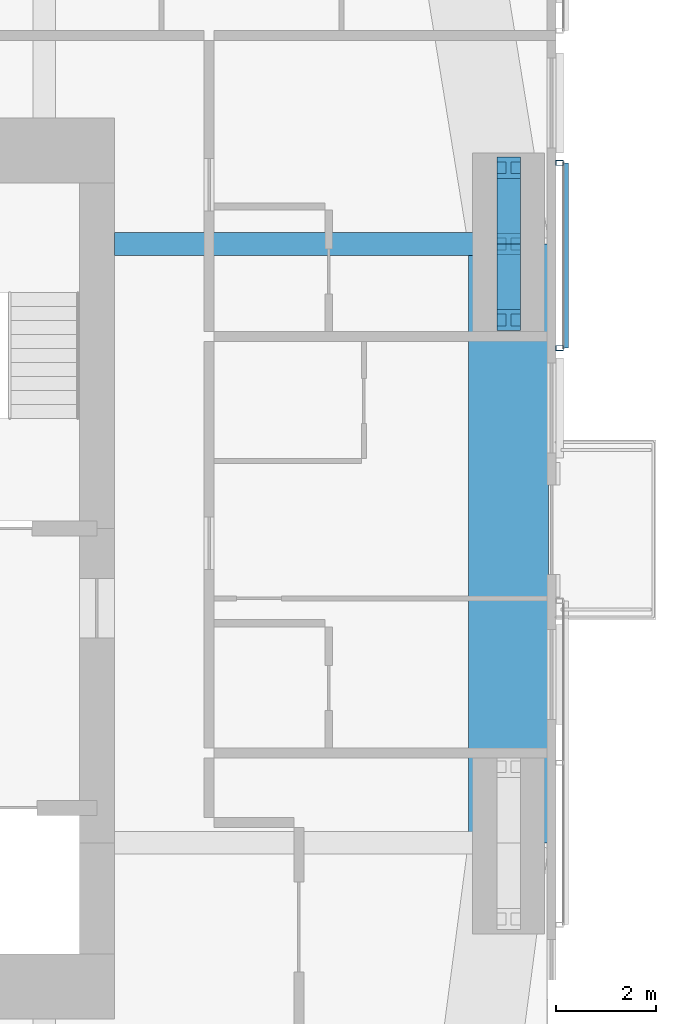
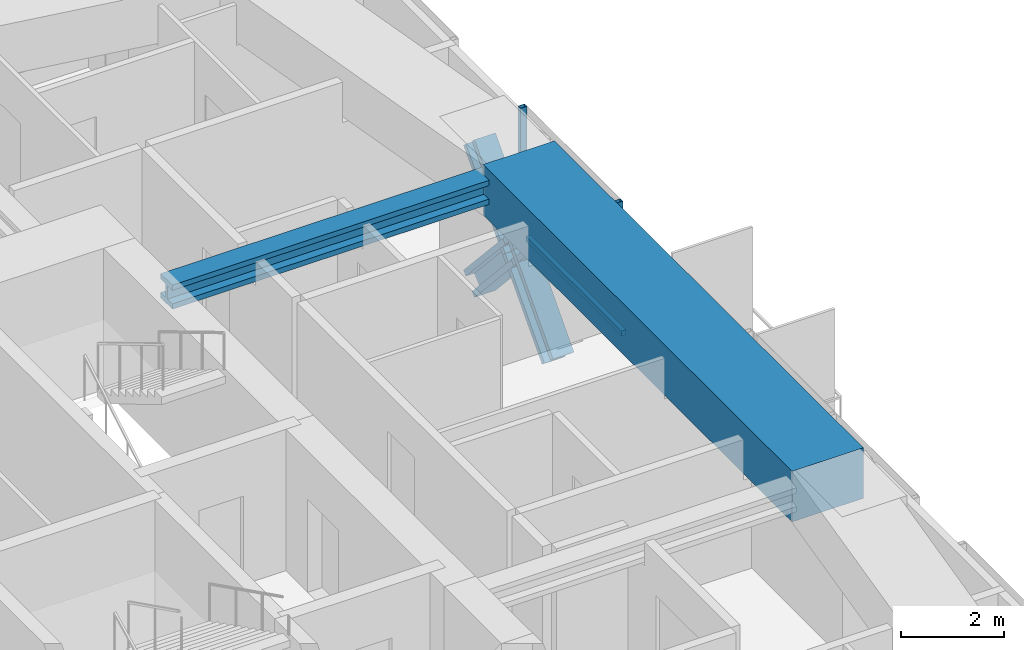
# One storey, part 9 of 23: 7 members, 2 beams, 1 element without a shape of its own.
"""IFC4 building model written with IfcOpenShell, lengths in metres."""

from ifc_helpers import new_model, si_unit, direction, frame, origin, origin_2d, place, context, subcontext, project, spatial, rectangle, hollow_rectangle, i_section, extrude, material, material_profile, profile_set, type_object, element, aggregate, save


model = new_model("IFC4")

# Units and contexts
model_context = context("Model", 3, precision=1e-05, world=origin(), true_north=direction((0.0, 1.0)))
body_context = subcontext(model_context, "Body", "Model", "MODEL_VIEW")
ifc_project = project(units=[si_unit("LENGTHUNIT", "METRE"), si_unit("AREAUNIT", "SQUARE_METRE"), si_unit("VOLUMEUNIT", "CUBIC_METRE"), si_unit("PLANEANGLEUNIT", "RADIAN"), si_unit("MASSUNIT", "GRAM", prefix="KILO")], contexts=[model_context])

# Site, building, storey
site_placement = place(None, origin())
site = spatial("IfcSite", under=ifc_project, at=site_placement, CompositionType="ELEMENT")
building_placement = place(site_placement, origin())
building = spatial("IfcBuilding", under=site, at=building_placement, Name="Jalousie Tower", CompositionType="ELEMENT")
storey_placement = place(building_placement, frame((0.0, 0.0, 181.14990234375)))
storey = spatial("IfcBuildingStorey", under=building, at=storey_placement, Name="L49", CompositionType="ELEMENT", Elevation=181.14990234375)

# Beam
ifc_material_1 = material(Name="Steel ASTM A992 Grade 50", Category="steel")
ifc_material_profile_1 = material_profile(ifc_material_1, i_section(OverallWidth=0.45458984375, OverallDepth=0.569091796875, WebThickness=0.077880859375, FlangeThickness=0.124755859375, at=origin_2d()), Name="W14X730")
ifc_profile_set_1 = profile_set([ifc_material_profile_1], Name="Steel ASTM A992 Grade 50")
beam_type_1 = type_object("IfcBeamType", Name="LEAN COLLECTOR W14X730", PredefinedType="BEAM", material=ifc_profile_set_1)
beam_1_placement = place(storey_placement, frame((52.050048828125, 25.0, 2.82568359375), z_axis=(-1.0, 0.0, 0.0), x_axis=(0.0, -1.0, 0.0)))
element("IfcBeam", 1, at=beam_1_placement, inside=storey, type_object=beam_type_1, Name="Lean collector under L50", PredefinedType="BEAM", context=body_context, shape_type="SweptSolid", body=[
    extrude(i_section(OverallWidth=0.45458984375, OverallDepth=0.569091796875, WebThickness=0.077880859375, FlangeThickness=0.124755859375, at=origin_2d()), origin(), (0.0, 0.0, 1.0), 7.900146484375),
])

# Members
ifc_material_2 = material(Name="Steel ASTM A992 Grade 50", Category="steel")
ifc_material_profile_2 = material_profile(ifc_material_2, i_section(OverallWidth=0.472412109375, OverallDepth=0.5791015625, WebThickness=0.094970703125, FlangeThickness=0.1298828125, at=origin_2d()), Name="W14X808")
ifc_profile_set_2 = profile_set([ifc_material_profile_2], Name="Steel ASTM A992 Grade 50")
member_type_1 = type_object("IfcMemberType", Name="PERIMETER BRACE W14X808", PredefinedType="BRACE", material=ifc_profile_set_2)
for number, where, z_axis, x_axis, name in (
    (2, (52.050048828125, 23.47509765625, -0.599853515625), (0.0, 0.673187629365, 0.739471713908), (-1.0, 0.0, 0.0), "Perimeter brace 07 L49 part 1"),
    (3, (52.050048828125, 25.0, 1.0751953125), (0.0, 0.673241284601, 0.739422864611), (-1.0, 0.0, 0.0), "Perimeter brace 07 L49 part 2"),
    (4, (52.050048828125, 26.52490234375, -0.599853515625), (0.0, -0.673187629365, 0.739471713908), (1.0, 0.0, 0.0), "Perimeter brace 07 L49 part 3"),
    (5, (52.050048828125, 25.0, 1.0751953125), (0.0, -0.673241284601, 0.739422864611), (1.0, 0.0, 0.0), "Perimeter brace 07 L49 part 4"),
):
    element("IfcMember", number, at=place(storey_placement, frame(where, z_axis=z_axis, x_axis=x_axis)), inside=storey, type_object=member_type_1, Name=name, PredefinedType="BRACE", context=body_context, shape_type="SweptSolid", body=[
        extrude(i_section(OverallWidth=0.472412109375, OverallDepth=0.5791015625, WebThickness=0.094970703125, FlangeThickness=0.1298828125, at=origin_2d()), origin(), (0.0, 0.0, 1.0), 2.26513671875),
    ])

# Beam
ifc_material_3 = material(Name="Concrete f'c 40 MPa", Category="concrete")
ifc_material_profile_3 = material_profile(ifc_material_3, rectangle(XDim=1.60009765625, YDim=1.199951171875, at=origin_2d()), Name="RC 1600x1200")
ifc_profile_set_3 = profile_set([ifc_material_profile_3], Name="Concrete f'c 40 MPa")
beam_type_2 = type_object("IfcBeamType", Name="RC BEAM 1600x1200", PredefinedType="BEAM", material=ifc_profile_set_3)
beam_2_placement = place(storey_placement, frame((52.050048828125, 13.0, 2.75), z_axis=(0.0, 1.0, 0.0), x_axis=(-1.0, 0.0, 0.0)))
element("IfcBeam", 6, at=beam_2_placement, inside=storey, type_object=beam_type_2, Name="Edge band beam 06-07 under L50", PredefinedType="BEAM", context=body_context, shape_type="SweptSolid", body=[
    extrude(rectangle(XDim=1.60009765625, YDim=1.199951171875, at=origin_2d()), origin(), (0.0, 0.0, 1.0), 12.0),
])

# Curtain wall, members
ifc_material_4 = material(Name="Perforated aluminium sheet", Category="aluminium")
curtain_wall_type = type_object("IfcCurtainWallType", Name="SOLAR SCREEN SS-1", PredefinedType="USERDEFINED", material=ifc_material_4)
curtain_wall_placement = place(storey_placement, origin())
curtain_wall = element("IfcCurtainWall", 7, at=curtain_wall_placement, inside=storey, type_object=curtain_wall_type, Name="Solar screen L49", ObjectType="SOLAR SCREEN SS-1", PredefinedType="USERDEFINED")
ifc_material_5 = material(Name="Steel ASTM A500 Grade C", Category="steel")
ifc_material_profile_4 = material_profile(ifc_material_5, hollow_rectangle(XDim=0.1015625, YDim=0.15234375, WallThickness=0.00634765625, at=origin_2d()), Name="HSS6X4X1/4")
ifc_profile_set_4 = profile_set([ifc_material_profile_4], Name="Steel ASTM A500 Grade C")
member_type_2 = type_object("IfcMemberType", Name="SOLAR SCREEN SS-1 MULLION", PredefinedType="MULLION", material=ifc_profile_set_4)
member_1_placement = place(storey_placement, frame((53.0712890625, 22.91259765625, -0.119873046875), z_axis=(0.0, 0.0, 1.0), x_axis=(0.0, 1.0, 0.0)))
member_1 = element("IfcMember", 8, at=member_1_placement, type_object=member_type_2, Name="SS1 post 1", PredefinedType="MULLION", context=body_context, shape_type="SweptSolid", body=[
    extrude(hollow_rectangle(XDim=0.1015625, YDim=0.15234375, WallThickness=0.00634765625, at=origin_2d()), origin(), (0.0, 0.0, 1.0), 3.22998046875),
])
member_2_placement = place(storey_placement, frame((53.0712890625, 26.625, -0.119873046875), z_axis=(0.0, 0.0, 1.0), x_axis=(0.0, 1.0, 0.0)))
member_2 = element("IfcMember", 9, at=member_2_placement, type_object=member_type_2, Name="SS1 post 2", PredefinedType="MULLION", context=body_context, shape_type="SweptSolid", body=[
    extrude(hollow_rectangle(XDim=0.1015625, YDim=0.15234375, WallThickness=0.00634765625, at=origin_2d()), origin(), (0.0, 0.0, 1.0), 3.22998046875),
])
ifc_material_6 = material(Name="Extruded aluminium screen rail", Category="aluminium")
ifc_material_profile_5 = material_profile(ifc_material_6, rectangle(XDim=0.1015625, YDim=0.1201171875, at=origin_2d()), Name="RAIL 102x120")
ifc_profile_set_5 = profile_set([ifc_material_profile_5], Name="Extruded aluminium screen rail")
member_type_3 = type_object("IfcMemberType", Name="SOLAR SCREEN SS-1 TRANSOM", PredefinedType="USERDEFINED", material=ifc_profile_set_5)
member_3_placement = place(storey_placement, frame((53.1982421875, 22.91259765625, -0.059814453125), z_axis=(0.0, 1.0, 0.0), x_axis=(-1.0, 0.0, 0.0)))
member_3 = element("IfcMember", 10, at=member_3_placement, type_object=member_type_3, Name="SS1 rail", ObjectType="TRANSOM", PredefinedType="USERDEFINED", context=body_context, shape_type="SweptSolid", body=[
    extrude(rectangle(XDim=0.1015625, YDim=0.1201171875, at=origin_2d()), origin(), (0.0, 0.0, 1.0), 3.71240234375),
])
aggregate(curtain_wall, [member_1, member_2, member_3])

save(model, "model.ifc")
